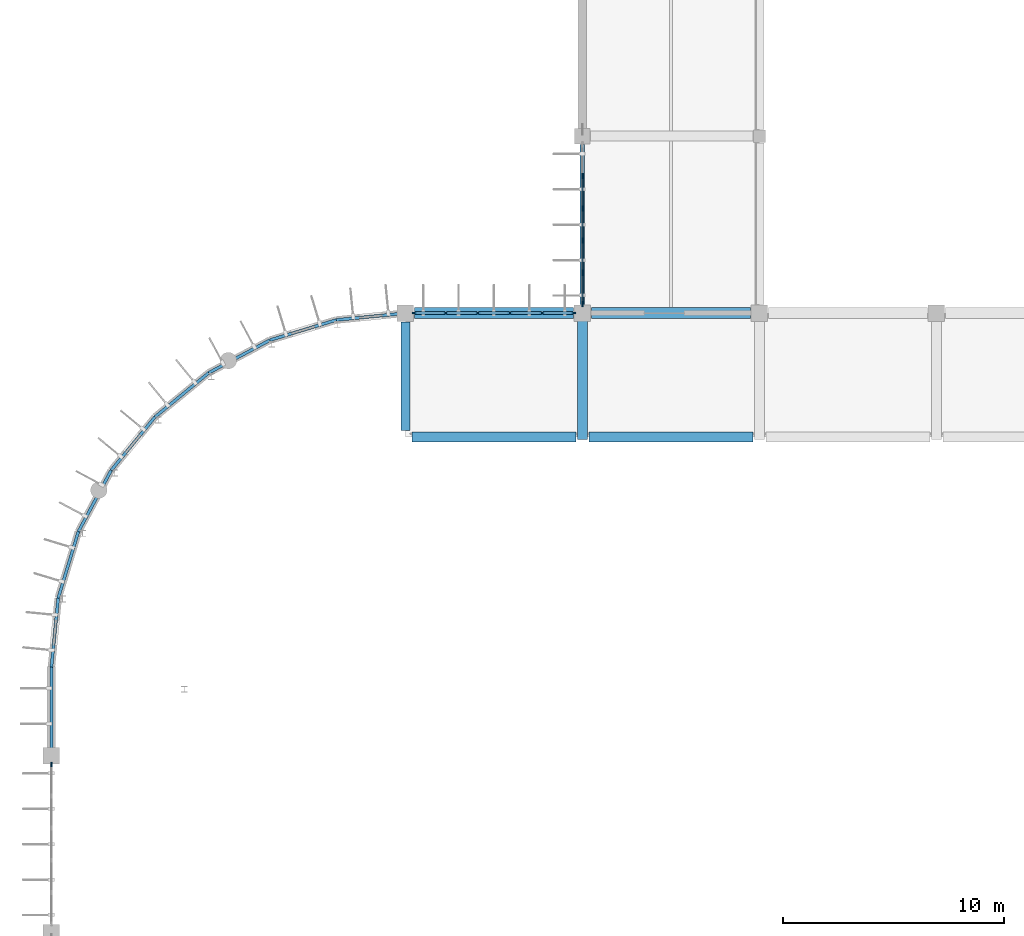
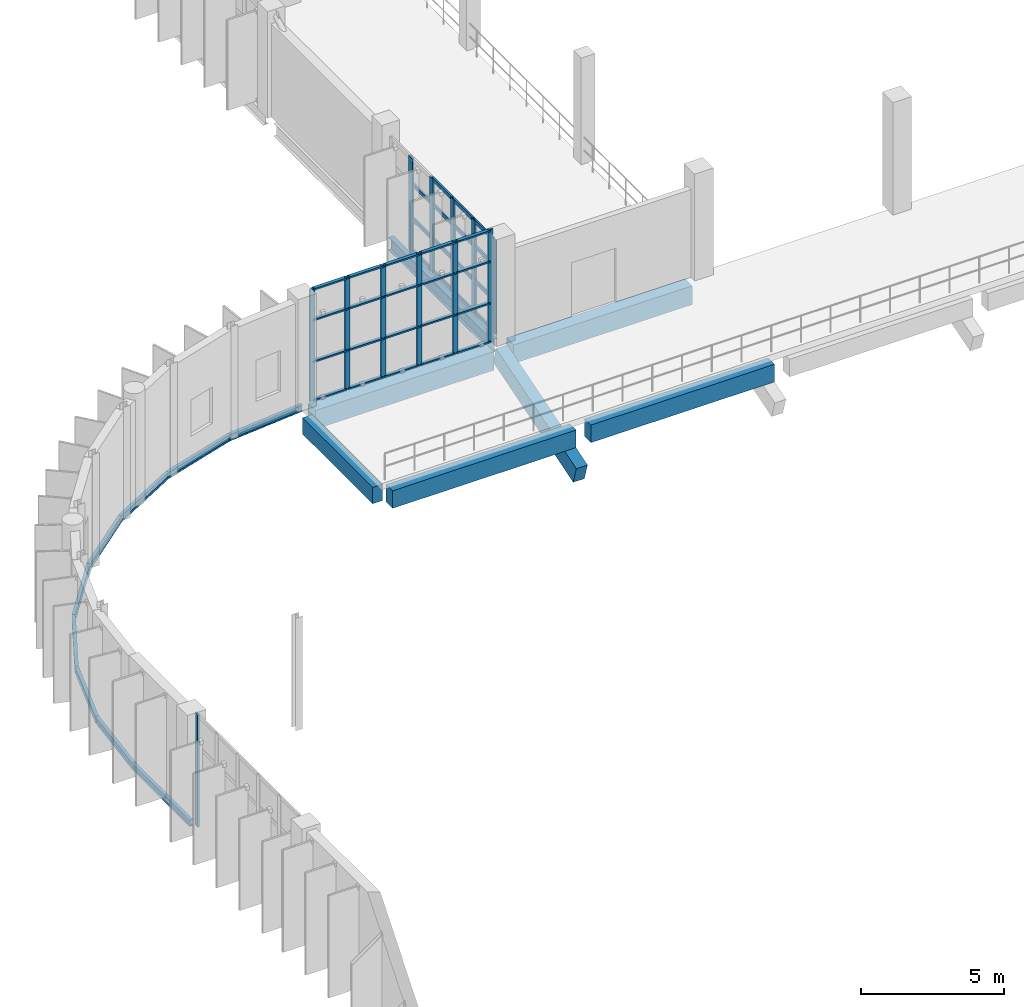
# One storey, part 24 of 93: 47 members, 16 beams, 3 elements without a shape of their own.
"""IFC4 building model written with IfcOpenShell, lengths in metres."""

from ifc_helpers import new_model, si_unit, direction, frame, origin, origin_2d, place, context, subcontext, project, spatial, rectangle, i_section, extrude, material, layer, layer_set, material_profile, profile_set, type_object, element, aggregate, save


model = new_model("IFC4")

# Units and contexts
model_context = context("Model", 3, precision=1e-05, world=origin(), true_north=direction((0.0, 1.0)))
body_context = subcontext(model_context, "Body", "Model", "MODEL_VIEW")
ifc_project = project(units=[si_unit("LENGTHUNIT", "METRE"), si_unit("AREAUNIT", "SQUARE_METRE"), si_unit("VOLUMEUNIT", "CUBIC_METRE"), si_unit("PLANEANGLEUNIT", "RADIAN"), si_unit("MASSUNIT", "GRAM", prefix="KILO")], contexts=[model_context])

# Site, building, storey
site_placement = place(None, origin())
site = spatial("IfcSite", under=ifc_project, at=site_placement, CompositionType="ELEMENT")
building_placement = place(site_placement, origin())
building = spatial("IfcBuilding", under=site, at=building_placement, Name="Drelvana Railside Aquatics Centre", CompositionType="ELEMENT")
storey_placement = place(building_placement, frame((0.0, 0.0, 5.39990234375)))
storey = spatial("IfcBuildingStorey", under=building, at=storey_placement, Name="L01", CompositionType="ELEMENT", Elevation=5.39990234375)

# Curtain wall, members
ifc_material_1 = material(Name="Bronze-anodised aluminium curtain wall", Category="aluminium")
ifc_layer_1 = layer(ifc_material_1, 0.179931640625, Name="Bronze-anodised aluminium curtain wall")
ifc_layer_set_1 = layer_set([ifc_layer_1], Name="Bronze-anodised aluminium curtain wall")
curtain_wall_type_1 = type_object("IfcCurtainWallType", Name="CW-Z2-CLER", PredefinedType="NOTDEFINED", material=ifc_layer_set_1)
curtain_wall_1_placement = place(storey_placement, origin())
curtain_wall_1 = element("IfcCurtainWall", 1, at=curtain_wall_1_placement, inside=storey, type_object=curtain_wall_type_1, Name="Curtain wall CW-02-018", PredefinedType="NOTDEFINED")
ifc_material_2 = material(Name="Bronze-anodised aluminium 6063-T6", Category="aluminium")
ifc_material_profile_1 = material_profile(ifc_material_2, rectangle(XDim=0.070068359375, YDim=0.199951171875, at=origin_2d()), Name="ALU-M 70x200")
ifc_profile_set_1 = profile_set([ifc_material_profile_1], Name="Bronze-anodised aluminium 6063-T6")
member_type_1 = type_object("IfcMemberType", Name="CW-Z2-CLER-MUL", PredefinedType="MULLION", material=ifc_profile_set_1)
member_1_placement = place(storey_placement, frame((16.404052734375, 84.0, -0.005859375), z_axis=(0.0, 0.0, 1.0), x_axis=(0.0, 1.0, 0.0)))
member_1 = element("IfcMember", 2, at=member_1_placement, type_object=member_type_1, Name="CW-02 mullion 1", PredefinedType="MULLION", context=body_context, shape_type="SweptSolid", body=[
    extrude(rectangle(XDim=0.070068359375, YDim=0.199951171875, at=origin_2d()), origin(), (0.0, 0.0, 1.0), 4.7958984375),
])
member_2_placement = place(storey_placement, frame((17.8212890625, 84.0, -0.005859375), z_axis=(0.0, 0.0, 1.0), x_axis=(0.0, 1.0, 0.0)))
member_2 = element("IfcMember", 3, at=member_2_placement, type_object=member_type_1, Name="CW-02 mullion 2", PredefinedType="MULLION", context=body_context, shape_type="SweptSolid", body=[
    extrude(rectangle(XDim=0.070068359375, YDim=0.199951171875, at=origin_2d()), origin(), (0.0, 0.0, 1.0), 4.7958984375),
])
member_3_placement = place(storey_placement, frame((19.273681640625, 84.0, -0.005859375), z_axis=(0.0, 0.0, 1.0), x_axis=(0.0, 1.0, 0.0)))
member_3 = element("IfcMember", 4, at=member_3_placement, type_object=member_type_1, Name="CW-02 mullion 3", PredefinedType="MULLION", context=body_context, shape_type="SweptSolid", body=[
    extrude(rectangle(XDim=0.070068359375, YDim=0.199951171875, at=origin_2d()), origin(), (0.0, 0.0, 1.0), 4.7958984375),
])
member_4_placement = place(storey_placement, frame((20.726318359375, 84.0, -0.005859375), z_axis=(0.0, 0.0, 1.0), x_axis=(0.0, 1.0, 0.0)))
member_4 = element("IfcMember", 5, at=member_4_placement, type_object=member_type_1, Name="CW-02 mullion 4", PredefinedType="MULLION", context=body_context, shape_type="SweptSolid", body=[
    extrude(rectangle(XDim=0.070068359375, YDim=0.199951171875, at=origin_2d()), origin(), (0.0, 0.0, 1.0), 4.7958984375),
])
member_5_placement = place(storey_placement, frame((22.1787109375, 84.0, -0.005859375), z_axis=(0.0, 0.0, 1.0), x_axis=(0.0, 1.0, 0.0)))
member_5 = element("IfcMember", 6, at=member_5_placement, type_object=member_type_1, Name="CW-02 mullion 5", PredefinedType="MULLION", context=body_context, shape_type="SweptSolid", body=[
    extrude(rectangle(XDim=0.070068359375, YDim=0.199951171875, at=origin_2d()), origin(), (0.0, 0.0, 1.0), 4.7958984375),
])
member_6_placement = place(storey_placement, frame((23.595947265625, 84.0, -0.005859375), z_axis=(0.0, 0.0, 1.0), x_axis=(0.0, 1.0, 0.0)))
member_6 = element("IfcMember", 7, at=member_6_placement, type_object=member_type_1, Name="CW-02 mullion 6", PredefinedType="MULLION", context=body_context, shape_type="SweptSolid", body=[
    extrude(rectangle(XDim=0.070068359375, YDim=0.199951171875, at=origin_2d()), origin(), (0.0, 0.0, 1.0), 4.7958984375),
])

# Curtain wall, member
curtain_wall_2_placement = place(storey_placement, origin())
curtain_wall_2 = element("IfcCurtainWall", 8, at=curtain_wall_2_placement, inside=storey, type_object=curtain_wall_type_1, Name="Curtain wall CW-02-051", PredefinedType="NOTDEFINED")
member_7_placement = place(storey_placement, frame((0.0, 63.595947265625, -0.005859375), z_axis=(0.0, 0.0, 1.0), x_axis=(-1.0, 0.0, 0.0)))
member_7 = element("IfcMember", 9, at=member_7_placement, type_object=member_type_1, Name="CW-02 mullion 6", PredefinedType="MULLION", context=body_context, shape_type="SweptSolid", body=[
    extrude(rectangle(XDim=0.070068359375, YDim=0.199951171875, at=origin_2d()), origin(), (0.0, 0.0, 1.0), 4.7958984375),
])
aggregate(curtain_wall_2, [member_7])

# Member
ifc_material_profile_2 = material_profile(ifc_material_2, rectangle(XDim=0.139892578125, YDim=0.06494140625, at=origin_2d()), Name="ALU-T 65x140")
ifc_profile_set_2 = profile_set([ifc_material_profile_2], Name="Bronze-anodised aluminium 6063-T6")
member_type_2 = type_object("IfcMemberType", Name="CW-Z2-CLER-TRN", PredefinedType="USERDEFINED", material=ifc_profile_set_2)
member_8_placement = place(storey_placement, frame((16.43408203125, 84.0, 0.026611328125), z_axis=(1.0, 0.0, 0.0), x_axis=(0.0, 1.0, 0.0)))
member_8 = element("IfcMember", 10, at=member_8_placement, type_object=member_type_2, Name="CW-02 transom 1.1", ObjectType="TRANSOM", PredefinedType="USERDEFINED", context=body_context, shape_type="SweptSolid", body=[
    extrude(rectangle(XDim=0.139892578125, YDim=0.06494140625, at=origin_2d()), origin(), (0.0, 0.0, 1.0), 1.357421875),
])

member_9_placement = place(storey_placement, frame((16.43408203125, 84.0, 1.673095703125), z_axis=(1.0, 0.0, 0.0), x_axis=(0.0, 1.0, 0.0)))
member_9 = element("IfcMember", 11, at=member_9_placement, type_object=member_type_2, Name="CW-02 transom 1.2", ObjectType="TRANSOM", PredefinedType="USERDEFINED", context=body_context, shape_type="SweptSolid", body=[
    extrude(rectangle(XDim=0.139892578125, YDim=0.06494140625, at=origin_2d()), origin(), (0.0, 0.0, 1.0), 1.357421875),
])

member_10_placement = place(storey_placement, frame((16.43408203125, 84.0, 3.447021484375), z_axis=(1.0, 0.0, 0.0), x_axis=(0.0, 1.0, 0.0)))
member_10 = element("IfcMember", 12, at=member_10_placement, type_object=member_type_2, Name="CW-02 transom 1.3", ObjectType="TRANSOM", PredefinedType="USERDEFINED", context=body_context, shape_type="SweptSolid", body=[
    extrude(rectangle(XDim=0.139892578125, YDim=0.06494140625, at=origin_2d()), origin(), (0.0, 0.0, 1.0), 1.357421875),
])

member_11_placement = place(storey_placement, frame((16.43408203125, 84.0, 4.757568359375), z_axis=(1.0, 0.0, 0.0), x_axis=(0.0, 1.0, 0.0)))
member_11 = element("IfcMember", 13, at=member_11_placement, type_object=member_type_2, Name="CW-02 transom 1.4", ObjectType="TRANSOM", PredefinedType="USERDEFINED", context=body_context, shape_type="SweptSolid", body=[
    extrude(rectangle(XDim=0.139892578125, YDim=0.06494140625, at=origin_2d()), origin(), (0.0, 0.0, 1.0), 1.357421875),
])

member_12_placement = place(storey_placement, frame((17.851318359375, 84.0, 0.026611328125), z_axis=(1.0, 0.0, 0.0), x_axis=(0.0, 1.0, 0.0)))
member_12 = element("IfcMember", 14, at=member_12_placement, type_object=member_type_2, Name="CW-02 transom 2.1", ObjectType="TRANSOM", PredefinedType="USERDEFINED", context=body_context, shape_type="SweptSolid", body=[
    extrude(rectangle(XDim=0.139892578125, YDim=0.06494140625, at=origin_2d()), origin(), (0.0, 0.0, 1.0), 1.392578125),
])

member_13_placement = place(storey_placement, frame((17.851318359375, 84.0, 1.673095703125), z_axis=(1.0, 0.0, 0.0), x_axis=(0.0, 1.0, 0.0)))
member_13 = element("IfcMember", 15, at=member_13_placement, type_object=member_type_2, Name="CW-02 transom 2.2", ObjectType="TRANSOM", PredefinedType="USERDEFINED", context=body_context, shape_type="SweptSolid", body=[
    extrude(rectangle(XDim=0.139892578125, YDim=0.06494140625, at=origin_2d()), origin(), (0.0, 0.0, 1.0), 1.392578125),
])

member_14_placement = place(storey_placement, frame((17.851318359375, 84.0, 3.447021484375), z_axis=(1.0, 0.0, 0.0), x_axis=(0.0, 1.0, 0.0)))
member_14 = element("IfcMember", 16, at=member_14_placement, type_object=member_type_2, Name="CW-02 transom 2.3", ObjectType="TRANSOM", PredefinedType="USERDEFINED", context=body_context, shape_type="SweptSolid", body=[
    extrude(rectangle(XDim=0.139892578125, YDim=0.06494140625, at=origin_2d()), origin(), (0.0, 0.0, 1.0), 1.392578125),
])

member_15_placement = place(storey_placement, frame((17.851318359375, 84.0, 4.757568359375), z_axis=(1.0, 0.0, 0.0), x_axis=(0.0, 1.0, 0.0)))
member_15 = element("IfcMember", 17, at=member_15_placement, type_object=member_type_2, Name="CW-02 transom 2.4", ObjectType="TRANSOM", PredefinedType="USERDEFINED", context=body_context, shape_type="SweptSolid", body=[
    extrude(rectangle(XDim=0.139892578125, YDim=0.06494140625, at=origin_2d()), origin(), (0.0, 0.0, 1.0), 1.392578125),
])

member_16_placement = place(storey_placement, frame((19.3037109375, 84.0, 0.026611328125), z_axis=(1.0, 0.0, 0.0), x_axis=(0.0, 1.0, 0.0)))
member_16 = element("IfcMember", 18, at=member_16_placement, type_object=member_type_2, Name="CW-02 transom 3.1", ObjectType="TRANSOM", PredefinedType="USERDEFINED", context=body_context, shape_type="SweptSolid", body=[
    extrude(rectangle(XDim=0.139892578125, YDim=0.06494140625, at=origin_2d()), origin(), (0.0, 0.0, 1.0), 1.392578125),
])

member_17_placement = place(storey_placement, frame((19.3037109375, 84.0, 1.673095703125), z_axis=(1.0, 0.0, 0.0), x_axis=(0.0, 1.0, 0.0)))
member_17 = element("IfcMember", 19, at=member_17_placement, type_object=member_type_2, Name="CW-02 transom 3.2", ObjectType="TRANSOM", PredefinedType="USERDEFINED", context=body_context, shape_type="SweptSolid", body=[
    extrude(rectangle(XDim=0.139892578125, YDim=0.06494140625, at=origin_2d()), origin(), (0.0, 0.0, 1.0), 1.392578125),
])

member_18_placement = place(storey_placement, frame((19.3037109375, 84.0, 3.447021484375), z_axis=(1.0, 0.0, 0.0), x_axis=(0.0, 1.0, 0.0)))
member_18 = element("IfcMember", 20, at=member_18_placement, type_object=member_type_2, Name="CW-02 transom 3.3", ObjectType="TRANSOM", PredefinedType="USERDEFINED", context=body_context, shape_type="SweptSolid", body=[
    extrude(rectangle(XDim=0.139892578125, YDim=0.06494140625, at=origin_2d()), origin(), (0.0, 0.0, 1.0), 1.392578125),
])

member_19_placement = place(storey_placement, frame((19.3037109375, 84.0, 4.757568359375), z_axis=(1.0, 0.0, 0.0), x_axis=(0.0, 1.0, 0.0)))
member_19 = element("IfcMember", 21, at=member_19_placement, type_object=member_type_2, Name="CW-02 transom 3.4", ObjectType="TRANSOM", PredefinedType="USERDEFINED", context=body_context, shape_type="SweptSolid", body=[
    extrude(rectangle(XDim=0.139892578125, YDim=0.06494140625, at=origin_2d()), origin(), (0.0, 0.0, 1.0), 1.392578125),
])

member_20_placement = place(storey_placement, frame((20.756103515625, 84.0, 0.026611328125), z_axis=(1.0, 0.0, 0.0), x_axis=(0.0, 1.0, 0.0)))
member_20 = element("IfcMember", 22, at=member_20_placement, type_object=member_type_2, Name="CW-02 transom 4.1", ObjectType="TRANSOM", PredefinedType="USERDEFINED", context=body_context, shape_type="SweptSolid", body=[
    extrude(rectangle(XDim=0.139892578125, YDim=0.06494140625, at=origin_2d()), origin(), (0.0, 0.0, 1.0), 1.392578125),
])

member_21_placement = place(storey_placement, frame((20.756103515625, 84.0, 1.673095703125), z_axis=(1.0, 0.0, 0.0), x_axis=(0.0, 1.0, 0.0)))
member_21 = element("IfcMember", 23, at=member_21_placement, type_object=member_type_2, Name="CW-02 transom 4.2", ObjectType="TRANSOM", PredefinedType="USERDEFINED", context=body_context, shape_type="SweptSolid", body=[
    extrude(rectangle(XDim=0.139892578125, YDim=0.06494140625, at=origin_2d()), origin(), (0.0, 0.0, 1.0), 1.392578125),
])

member_22_placement = place(storey_placement, frame((20.756103515625, 84.0, 3.447021484375), z_axis=(1.0, 0.0, 0.0), x_axis=(0.0, 1.0, 0.0)))
member_22 = element("IfcMember", 24, at=member_22_placement, type_object=member_type_2, Name="CW-02 transom 4.3", ObjectType="TRANSOM", PredefinedType="USERDEFINED", context=body_context, shape_type="SweptSolid", body=[
    extrude(rectangle(XDim=0.139892578125, YDim=0.06494140625, at=origin_2d()), origin(), (0.0, 0.0, 1.0), 1.392578125),
])

member_23_placement = place(storey_placement, frame((20.756103515625, 84.0, 4.757568359375), z_axis=(1.0, 0.0, 0.0), x_axis=(0.0, 1.0, 0.0)))
member_23 = element("IfcMember", 25, at=member_23_placement, type_object=member_type_2, Name="CW-02 transom 4.4", ObjectType="TRANSOM", PredefinedType="USERDEFINED", context=body_context, shape_type="SweptSolid", body=[
    extrude(rectangle(XDim=0.139892578125, YDim=0.06494140625, at=origin_2d()), origin(), (0.0, 0.0, 1.0), 1.392578125),
])

member_24_placement = place(storey_placement, frame((22.20849609375, 84.0, 0.026611328125), z_axis=(1.0, 0.0, 0.0), x_axis=(0.0, 1.0, 0.0)))
member_24 = element("IfcMember", 26, at=member_24_placement, type_object=member_type_2, Name="CW-02 transom 5.1", ObjectType="TRANSOM", PredefinedType="USERDEFINED", context=body_context, shape_type="SweptSolid", body=[
    extrude(rectangle(XDim=0.139892578125, YDim=0.06494140625, at=origin_2d()), origin(), (0.0, 0.0, 1.0), 1.357421875),
])

member_25_placement = place(storey_placement, frame((22.20849609375, 84.0, 1.673095703125), z_axis=(1.0, 0.0, 0.0), x_axis=(0.0, 1.0, 0.0)))
member_25 = element("IfcMember", 27, at=member_25_placement, type_object=member_type_2, Name="CW-02 transom 5.2", ObjectType="TRANSOM", PredefinedType="USERDEFINED", context=body_context, shape_type="SweptSolid", body=[
    extrude(rectangle(XDim=0.139892578125, YDim=0.06494140625, at=origin_2d()), origin(), (0.0, 0.0, 1.0), 1.357421875),
])

member_26_placement = place(storey_placement, frame((22.20849609375, 84.0, 3.447021484375), z_axis=(1.0, 0.0, 0.0), x_axis=(0.0, 1.0, 0.0)))
member_26 = element("IfcMember", 28, at=member_26_placement, type_object=member_type_2, Name="CW-02 transom 5.3", ObjectType="TRANSOM", PredefinedType="USERDEFINED", context=body_context, shape_type="SweptSolid", body=[
    extrude(rectangle(XDim=0.139892578125, YDim=0.06494140625, at=origin_2d()), origin(), (0.0, 0.0, 1.0), 1.357421875),
])

member_27_placement = place(storey_placement, frame((22.20849609375, 84.0, 4.757568359375), z_axis=(1.0, 0.0, 0.0), x_axis=(0.0, 1.0, 0.0)))
member_27 = element("IfcMember", 29, at=member_27_placement, type_object=member_type_2, Name="CW-02 transom 5.4", ObjectType="TRANSOM", PredefinedType="USERDEFINED", context=body_context, shape_type="SweptSolid", body=[
    extrude(rectangle(XDim=0.139892578125, YDim=0.06494140625, at=origin_2d()), origin(), (0.0, 0.0, 1.0), 1.357421875),
])

aggregate(curtain_wall_1, [member_1, member_2, member_3, member_4, member_5, member_6, member_8, member_9, member_10, member_11, member_12, member_13, member_14, member_15, member_16, member_17, member_18, member_19, member_20, member_21, member_22, member_23, member_24, member_25, member_26, member_27])

# Curtain wall, members
ifc_layer_2 = layer(ifc_material_1, 0.2099609375, Name="Bronze-anodised aluminium curtain wall")
ifc_layer_set_2 = layer_set([ifc_layer_2], Name="Bronze-anodised aluminium curtain wall")
curtain_wall_type_2 = type_object("IfcCurtainWallType", Name="CW-Z7-DIVE", PredefinedType="NOTDEFINED", material=ifc_layer_set_2)
curtain_wall_3_placement = place(storey_placement, origin())
curtain_wall_3 = element("IfcCurtainWall", 30, at=curtain_wall_3_placement, inside=storey, type_object=curtain_wall_type_2, Name="Curtain wall CW-07-082", PredefinedType="NOTDEFINED")
ifc_material_profile_3 = material_profile(ifc_material_2, rectangle(XDim=0.080078125, YDim=0.25, at=origin_2d()), Name="ALU-M 80x250")
ifc_profile_set_3 = profile_set([ifc_material_profile_3], Name="Bronze-anodised aluminium 6063-T6")
member_type_3 = type_object("IfcMemberType", Name="CW-Z7-DIVE-MUL", PredefinedType="MULLION", material=ifc_profile_set_3)
member_28_placement = place(storey_placement, frame((24.0, 84.408935546875, -0.005859375), z_axis=(0.0, 0.0, 1.0), x_axis=(-1.0, 0.0, 0.0)))
member_28 = element("IfcMember", 31, at=member_28_placement, type_object=member_type_3, Name="CW-07 mullion 1", PredefinedType="MULLION", context=body_context, shape_type="SweptSolid", body=[
    extrude(rectangle(XDim=0.080078125, YDim=0.25, at=origin_2d()), origin(), (0.0, 0.0, 1.0), 3.98583984375),
])
member_29_placement = place(storey_placement, frame((24.0, 85.826416015625, -0.005859375), z_axis=(0.0, 0.0, 1.0), x_axis=(-1.0, 0.0, 0.0)))
member_29 = element("IfcMember", 32, at=member_29_placement, type_object=member_type_3, Name="CW-07 mullion 2", PredefinedType="MULLION", context=body_context, shape_type="SweptSolid", body=[
    extrude(rectangle(XDim=0.080078125, YDim=0.25, at=origin_2d()), origin(), (0.0, 0.0, 1.0), 3.98583984375),
])
member_30_placement = place(storey_placement, frame((24.0, 87.28369140625, -0.005859375), z_axis=(0.0, 0.0, 1.0), x_axis=(-1.0, 0.0, 0.0)))
member_30 = element("IfcMember", 33, at=member_30_placement, type_object=member_type_3, Name="CW-07 mullion 3", PredefinedType="MULLION", context=body_context, shape_type="SweptSolid", body=[
    extrude(rectangle(XDim=0.080078125, YDim=0.25, at=origin_2d()), origin(), (0.0, 0.0, 1.0), 3.98583984375),
])
member_31_placement = place(storey_placement, frame((24.0, 88.7412109375, -0.005859375), z_axis=(0.0, 0.0, 1.0), x_axis=(-1.0, 0.0, 0.0)))
member_31 = element("IfcMember", 34, at=member_31_placement, type_object=member_type_3, Name="CW-07 mullion 4", PredefinedType="MULLION", context=body_context, shape_type="SweptSolid", body=[
    extrude(rectangle(XDim=0.080078125, YDim=0.25, at=origin_2d()), origin(), (0.0, 0.0, 1.0), 3.98583984375),
])
member_32_placement = place(storey_placement, frame((24.0, 90.198486328125, -0.005859375), z_axis=(0.0, 0.0, 1.0), x_axis=(-1.0, 0.0, 0.0)))
member_32 = element("IfcMember", 35, at=member_32_placement, type_object=member_type_3, Name="CW-07 mullion 5", PredefinedType="MULLION", context=body_context, shape_type="SweptSolid", body=[
    extrude(rectangle(XDim=0.080078125, YDim=0.25, at=origin_2d()), origin(), (0.0, 0.0, 1.0), 3.98583984375),
])
ifc_material_profile_4 = material_profile(ifc_material_2, rectangle(XDim=0.159912109375, YDim=0.070068359375, at=origin_2d()), Name="ALU-T 70x160")
ifc_profile_set_4 = profile_set([ifc_material_profile_4], Name="Bronze-anodised aluminium 6063-T6")
member_type_4 = type_object("IfcMemberType", Name="CW-Z7-DIVE-TRN", PredefinedType="USERDEFINED", material=ifc_profile_set_4)
member_33_placement = place(storey_placement, frame((24.0, 84.444091796875, 0.029052734375), z_axis=(0.0, 1.0, 0.0), x_axis=(0.0, 0.0, 1.0)))
member_33 = element("IfcMember", 36, at=member_33_placement, type_object=member_type_4, Name="CW-07 transom 1.1", ObjectType="TRANSOM", PredefinedType="USERDEFINED", context=body_context, shape_type="SweptSolid", body=[
    extrude(rectangle(XDim=0.159912109375, YDim=0.070068359375, at=origin_2d()), origin(), (0.0, 0.0, 1.0), 1.347412109375),
])
member_34_placement = place(storey_placement, frame((24.0, 84.444091796875, 1.38916015625), z_axis=(0.0, 1.0, 0.0), x_axis=(0.0, 0.0, 1.0)))
member_34 = element("IfcMember", 37, at=member_34_placement, type_object=member_type_4, Name="CW-07 transom 1.2", ObjectType="TRANSOM", PredefinedType="USERDEFINED", context=body_context, shape_type="SweptSolid", body=[
    extrude(rectangle(XDim=0.159912109375, YDim=0.070068359375, at=origin_2d()), origin(), (0.0, 0.0, 1.0), 1.347412109375),
])
member_35_placement = place(storey_placement, frame((24.0, 84.444091796875, 2.864013671875), z_axis=(0.0, 1.0, 0.0), x_axis=(0.0, 0.0, 1.0)))
member_35 = element("IfcMember", 38, at=member_35_placement, type_object=member_type_4, Name="CW-07 transom 1.3", ObjectType="TRANSOM", PredefinedType="USERDEFINED", context=body_context, shape_type="SweptSolid", body=[
    extrude(rectangle(XDim=0.159912109375, YDim=0.070068359375, at=origin_2d()), origin(), (0.0, 0.0, 1.0), 1.347412109375),
])
member_36_placement = place(storey_placement, frame((24.0, 84.444091796875, 3.945068359375), z_axis=(0.0, 1.0, 0.0), x_axis=(0.0, 0.0, 1.0)))
member_36 = element("IfcMember", 39, at=member_36_placement, type_object=member_type_4, Name="CW-07 transom 1.4", ObjectType="TRANSOM", PredefinedType="USERDEFINED", context=body_context, shape_type="SweptSolid", body=[
    extrude(rectangle(XDim=0.159912109375, YDim=0.070068359375, at=origin_2d()), origin(), (0.0, 0.0, 1.0), 1.347412109375),
])
member_37_placement = place(storey_placement, frame((24.0, 85.861328125, 0.029052734375), z_axis=(0.0, 1.0, 0.0), x_axis=(0.0, 0.0, 1.0)))
member_37 = element("IfcMember", 40, at=member_37_placement, type_object=member_type_4, Name="CW-07 transom 2.1", ObjectType="TRANSOM", PredefinedType="USERDEFINED", context=body_context, shape_type="SweptSolid", body=[
    extrude(rectangle(XDim=0.159912109375, YDim=0.070068359375, at=origin_2d()), origin(), (0.0, 0.0, 1.0), 1.387451171875),
])
member_38_placement = place(storey_placement, frame((24.0, 85.861328125, 1.38916015625), z_axis=(0.0, 1.0, 0.0), x_axis=(0.0, 0.0, 1.0)))
member_38 = element("IfcMember", 41, at=member_38_placement, type_object=member_type_4, Name="CW-07 transom 2.2", ObjectType="TRANSOM", PredefinedType="USERDEFINED", context=body_context, shape_type="SweptSolid", body=[
    extrude(rectangle(XDim=0.159912109375, YDim=0.070068359375, at=origin_2d()), origin(), (0.0, 0.0, 1.0), 1.387451171875),
])
member_39_placement = place(storey_placement, frame((24.0, 85.861328125, 2.864013671875), z_axis=(0.0, 1.0, 0.0), x_axis=(0.0, 0.0, 1.0)))
member_39 = element("IfcMember", 42, at=member_39_placement, type_object=member_type_4, Name="CW-07 transom 2.3", ObjectType="TRANSOM", PredefinedType="USERDEFINED", context=body_context, shape_type="SweptSolid", body=[
    extrude(rectangle(XDim=0.159912109375, YDim=0.070068359375, at=origin_2d()), origin(), (0.0, 0.0, 1.0), 1.387451171875),
])
member_40_placement = place(storey_placement, frame((24.0, 85.861328125, 3.945068359375), z_axis=(0.0, 1.0, 0.0), x_axis=(0.0, 0.0, 1.0)))
member_40 = element("IfcMember", 43, at=member_40_placement, type_object=member_type_4, Name="CW-07 transom 2.4", ObjectType="TRANSOM", PredefinedType="USERDEFINED", context=body_context, shape_type="SweptSolid", body=[
    extrude(rectangle(XDim=0.159912109375, YDim=0.070068359375, at=origin_2d()), origin(), (0.0, 0.0, 1.0), 1.387451171875),
])
member_41_placement = place(storey_placement, frame((24.0, 87.31884765625, 0.029052734375), z_axis=(0.0, 1.0, 0.0), x_axis=(0.0, 0.0, 1.0)))
member_41 = element("IfcMember", 44, at=member_41_placement, type_object=member_type_4, Name="CW-07 transom 3.1", ObjectType="TRANSOM", PredefinedType="USERDEFINED", context=body_context, shape_type="SweptSolid", body=[
    extrude(rectangle(XDim=0.159912109375, YDim=0.070068359375, at=origin_2d()), origin(), (0.0, 0.0, 1.0), 1.387451171875),
])
member_42_placement = place(storey_placement, frame((24.0, 87.31884765625, 1.38916015625), z_axis=(0.0, 1.0, 0.0), x_axis=(0.0, 0.0, 1.0)))
member_42 = element("IfcMember", 45, at=member_42_placement, type_object=member_type_4, Name="CW-07 transom 3.2", ObjectType="TRANSOM", PredefinedType="USERDEFINED", context=body_context, shape_type="SweptSolid", body=[
    extrude(rectangle(XDim=0.159912109375, YDim=0.070068359375, at=origin_2d()), origin(), (0.0, 0.0, 1.0), 1.387451171875),
])
member_43_placement = place(storey_placement, frame((24.0, 87.31884765625, 2.864013671875), z_axis=(0.0, 1.0, 0.0), x_axis=(0.0, 0.0, 1.0)))
member_43 = element("IfcMember", 46, at=member_43_placement, type_object=member_type_4, Name="CW-07 transom 3.3", ObjectType="TRANSOM", PredefinedType="USERDEFINED", context=body_context, shape_type="SweptSolid", body=[
    extrude(rectangle(XDim=0.159912109375, YDim=0.070068359375, at=origin_2d()), origin(), (0.0, 0.0, 1.0), 1.387451171875),
])
member_44_placement = place(storey_placement, frame((24.0, 87.31884765625, 3.945068359375), z_axis=(0.0, 1.0, 0.0), x_axis=(0.0, 0.0, 1.0)))
member_44 = element("IfcMember", 47, at=member_44_placement, type_object=member_type_4, Name="CW-07 transom 3.4", ObjectType="TRANSOM", PredefinedType="USERDEFINED", context=body_context, shape_type="SweptSolid", body=[
    extrude(rectangle(XDim=0.159912109375, YDim=0.070068359375, at=origin_2d()), origin(), (0.0, 0.0, 1.0), 1.387451171875),
])
member_45_placement = place(storey_placement, frame((24.0, 88.776123046875, 0.029052734375), z_axis=(0.0, 1.0, 0.0), x_axis=(0.0, 0.0, 1.0)))
member_45 = element("IfcMember", 48, at=member_45_placement, type_object=member_type_4, Name="CW-07 transom 4.1", ObjectType="TRANSOM", PredefinedType="USERDEFINED", context=body_context, shape_type="SweptSolid", body=[
    extrude(rectangle(XDim=0.159912109375, YDim=0.070068359375, at=origin_2d()), origin(), (0.0, 0.0, 1.0), 1.387451171875),
])
member_46_placement = place(storey_placement, frame((24.0, 88.776123046875, 1.38916015625), z_axis=(0.0, 1.0, 0.0), x_axis=(0.0, 0.0, 1.0)))
member_46 = element("IfcMember", 49, at=member_46_placement, type_object=member_type_4, Name="CW-07 transom 4.2", ObjectType="TRANSOM", PredefinedType="USERDEFINED", context=body_context, shape_type="SweptSolid", body=[
    extrude(rectangle(XDim=0.159912109375, YDim=0.070068359375, at=origin_2d()), origin(), (0.0, 0.0, 1.0), 1.387451171875),
])
member_47_placement = place(storey_placement, frame((24.0, 88.776123046875, 2.864013671875), z_axis=(0.0, 1.0, 0.0), x_axis=(0.0, 0.0, 1.0)))
member_47 = element("IfcMember", 50, at=member_47_placement, type_object=member_type_4, Name="CW-07 transom 4.3", ObjectType="TRANSOM", PredefinedType="USERDEFINED", context=body_context, shape_type="SweptSolid", body=[
    extrude(rectangle(XDim=0.159912109375, YDim=0.070068359375, at=origin_2d()), origin(), (0.0, 0.0, 1.0), 1.387451171875),
])
aggregate(curtain_wall_3, [member_28, member_29, member_30, member_31, member_32, member_33, member_34, member_35, member_36, member_37, member_38, member_39, member_40, member_41, member_42, member_43, member_44, member_45, member_46, member_47])

# Beams
ifc_material_3 = material(Name="Concrete C40/50", Category="concrete")
ifc_material_profile_5 = material_profile(ifc_material_3, rectangle(XDim=0.39990234375, YDim=0.699951171875, at=origin_2d()), Name="RC 400x700")
ifc_profile_set_5 = profile_set([ifc_material_profile_5], Name="Concrete C40/50")
beam_type_1 = type_object("IfcBeamType", Name="STR-BM-BM-03-RC-400x700", PredefinedType="BEAM", material=ifc_profile_set_5)
beam_1_placement = place(storey_placement, frame((16.0, 78.699951171875, -0.625), z_axis=(0.0, 1.0, 0.0), x_axis=(-1.0, 0.0, 0.0)))
element("IfcBeam", 51, at=beam_1_placement, inside=storey, type_object=beam_type_1, Name="Girder BM-03 (L01)", PredefinedType="BEAM", context=body_context, shape_type="SweptSolid", body=[
    extrude(rectangle(XDim=0.39990234375, YDim=0.699951171875, at=origin_2d()), origin(), (0.0, 0.0, 1.0), 4.900146484375),
])
ifc_material_profile_6 = material_profile(ifc_material_3, rectangle(XDim=0.449951171875, YDim=0.75, at=origin_2d()), Name="RC 450x750")
ifc_profile_set_6 = profile_set([ifc_material_profile_6], Name="Concrete C40/50")
beam_type_2 = type_object("IfcBeamType", Name="STR-BM-BM-04-RC-450x750", PredefinedType="BEAM", material=ifc_profile_set_6)
for number, where, z_axis, x_axis, name in (
    (52, (16.300048828125, 78.39990234375, -0.64990234375), (1.0, 0.0, 0.0), (0.0, 1.0, 0.0), "Girder BM-04 (L01)"),
    (53, (24.300048828125, 78.39990234375, -0.64990234375), (1.0, 0.0, 0.0), (0.0, 1.0, 0.0), "Girder BM-04 (L01)"),
):
    element("IfcBeam", number, at=place(storey_placement, frame(where, z_axis=z_axis, x_axis=x_axis)), inside=storey, type_object=beam_type_2, Name=name, PredefinedType="BEAM", context=body_context, shape_type="SweptSolid", body=[
        extrude(rectangle(XDim=0.449951171875, YDim=0.75, at=origin_2d()), origin(), (0.0, 0.0, 1.0), 7.39990234375),
    ])
ifc_material_profile_7 = material_profile(ifc_material_3, rectangle(XDim=0.5, YDim=0.800048828125, at=origin_2d()), Name="RC 500x800")
ifc_profile_set_7 = profile_set([ifc_material_profile_7], Name="Concrete C40/50")
beam_type_3 = type_object("IfcBeamType", Name="STR-BM-BM-06-RC-500x800", PredefinedType="SPANDREL", material=ifc_profile_set_7)
for number, where, z_axis, x_axis, name in (
    (54, (16.39990234375, 84.0, -0.6748046875), (1.0, 0.0, 0.0), (0.0, 1.0, 0.0), "Girder BM-06 (L01)"),
    (55, (24.39990234375, 84.0, -0.6748046875), (1.0, 0.0, 0.0), (0.0, 1.0, 0.0), "Girder BM-06 (L01)"),
):
    element("IfcBeam", number, at=place(storey_placement, frame(where, z_axis=z_axis, x_axis=x_axis)), inside=storey, type_object=beam_type_3, Name=name, PredefinedType="SPANDREL", context=body_context, shape_type="SweptSolid", body=[
        extrude(rectangle(XDim=0.5, YDim=0.800048828125, at=origin_2d()), origin(), (0.0, 0.0, 1.0), 7.2001953125),
    ])
ifc_material_profile_8 = material_profile(ifc_material_3, rectangle(XDim=0.449951171875, YDim=0.75, at=origin_2d()), Name="RC 450x750")
ifc_profile_set_8 = profile_set([ifc_material_profile_8], Name="Concrete C40/50")
beam_type_4 = type_object("IfcBeamType", Name="STR-BM-RK-02-RC-450x750", PredefinedType="USERDEFINED", material=ifc_profile_set_8)
beam_2_placement = place(storey_placement, frame((24.0, 78.39990234375, -2.3798828125), z_axis=(0.0, 0.955448782537, 0.295156947993), x_axis=(-1.0, 0.0, 0.0)))
element("IfcBeam", 56, at=beam_2_placement, inside=storey, type_object=beam_type_4, Name="Lower stand raker beam RK-02 N-X24", ObjectType="RAKER", PredefinedType="USERDEFINED", context=body_context, shape_type="SweptSolid", body=[
    extrude(rectangle(XDim=0.449951171875, YDim=0.75, at=origin_2d()), origin(), (0.0, 0.0, 1.0), 5.861328125),
])
ifc_material_4 = material(Name="Structural steel S355", Category="steel")
ifc_material_profile_9 = material_profile(ifc_material_4, i_section(OverallWidth=0.2099609375, OverallDepth=0.550048828125, WebThickness=0.010986328125, FlangeThickness=0.01708984375, at=origin_2d()), Name="IPE 550")
ifc_profile_set_9 = profile_set([ifc_material_profile_9], Name="Structural steel S355")
beam_type_5 = type_object("IfcBeamType", Name="STR-SBM-SB-04-IPE-550", PredefinedType="SPANDREL", material=ifc_profile_set_9)
beam_3_placement = place(storey_placement, frame((24.0, 84.39990234375, -0.5498046875), z_axis=(0.0, 1.0, 0.0), x_axis=(-1.0, 0.0, 0.0)))
element("IfcBeam", 57, at=beam_3_placement, inside=storey, type_object=beam_type_5, Name="Girder SB-04 (L01)", PredefinedType="SPANDREL", context=body_context, shape_type="SweptSolid", body=[
    extrude(i_section(OverallWidth=0.2099609375, OverallDepth=0.550048828125, WebThickness=0.010986328125, FlangeThickness=0.01708984375, at=origin_2d()), origin(), (0.0, 0.0, 1.0), 7.22509765625),
])
ifc_material_profile_10 = material_profile(ifc_material_4, i_section(OverallWidth=0.135009765625, OverallDepth=0.27001953125, WebThickness=0.006591796875, FlangeThickness=0.01025390625, at=origin_2d()), Name="IPE 270")
ifc_profile_set_10 = profile_set([ifc_material_profile_10], Name="Structural steel S355")
beam_type_6 = type_object("IfcBeamType", Name="STR-SBM-SJ-02-IPE-270", PredefinedType="JOIST", material=ifc_profile_set_10)
beam_4_placement = place(storey_placement, frame((0.0, 64.0, -0.135009765625), z_axis=(0.0, 1.0, 0.0), x_axis=(-1.0, 0.0, 0.0)))
element("IfcBeam", 58, at=beam_4_placement, inside=storey, type_object=beam_type_6, Name="V1 West L01 masonry girt 64", PredefinedType="JOIST", context=body_context, shape_type="SweptSolid", body=[
    extrude(i_section(OverallWidth=0.135009765625, OverallDepth=0.27001953125, WebThickness=0.006591796875, FlangeThickness=0.01025390625, at=origin_2d()), origin(), (0.0, 0.0, 1.0), 4.0),
])
for number, where, z_axis, x_axis, name in (
    (59, (16.0, 84.0, -0.135009765625), (-0.995186340733, -0.098000751113, 0.0), (0.098000751113, -0.995186340733, 0.0), "V1NW L01 curved spandrel beam 1"),
    (60, (12.878662109375, 83.692626953125, -0.135009765625), (-0.956926153386, -0.290331426072, 0.0), (0.290331426072, -0.956926153386, 0.0), "V1NW L01 curved spandrel beam 2"),
):
    element("IfcBeam", number, at=place(storey_placement, frame(where, z_axis=z_axis, x_axis=x_axis)), inside=storey, type_object=beam_type_6, Name=name, PredefinedType="JOIST", context=body_context, shape_type="SweptSolid", body=[
        extrude(i_section(OverallWidth=0.135009765625, OverallDepth=0.27001953125, WebThickness=0.006591796875, FlangeThickness=0.01025390625, at=origin_2d()), origin(), (0.0, 0.0, 1.0), 3.136474609375),
    ])
beam_5_placement = place(storey_placement, frame((9.877197265625, 82.781982421875, -0.135009765625), z_axis=(-0.881938921093, -0.471363701892, 0.0), x_axis=(0.471363701892, -0.881938921093, 0.0)))
element("IfcBeam", 61, at=beam_5_placement, inside=storey, type_object=beam_type_6, Name="V1NW L01 curved spandrel beam 3", PredefinedType="JOIST", context=body_context, shape_type="SweptSolid", body=[
    extrude(i_section(OverallWidth=0.135009765625, OverallDepth=0.27001953125, WebThickness=0.006591796875, FlangeThickness=0.01025390625, at=origin_2d()), origin(), (0.0, 0.0, 1.0), 3.13671875),
])
for number, where, z_axis, x_axis, name in (
    (62, (7.11083984375, 81.303466796875, -0.135009765625), (-0.773016601683, -0.634385792339, 0.0), (0.634385792339, -0.773016601683, 0.0), "V1NW L01 curved spandrel beam 4"),
    (63, (4.686279296875, 79.313720703125, -0.135009765625), (-0.634385792339, -0.773016601683, 0.0), (0.773016601683, -0.634385792339, 0.0), "V1NW L01 curved spandrel beam 5"),
):
    element("IfcBeam", number, at=place(storey_placement, frame(where, z_axis=z_axis, x_axis=x_axis)), inside=storey, type_object=beam_type_6, Name=name, PredefinedType="JOIST", context=body_context, shape_type="SweptSolid", body=[
        extrude(i_section(OverallWidth=0.135009765625, OverallDepth=0.27001953125, WebThickness=0.006591796875, FlangeThickness=0.01025390625, at=origin_2d()), origin(), (0.0, 0.0, 1.0), 3.136474609375),
    ])
beam_6_placement = place(storey_placement, frame((2.696533203125, 76.88916015625, -0.135009765625), z_axis=(-0.471363701892, -0.881938921093, 0.0), x_axis=(0.881938921093, -0.471363701892, 0.0)))
element("IfcBeam", 64, at=beam_6_placement, inside=storey, type_object=beam_type_6, Name="V1NW L01 curved spandrel beam 6", PredefinedType="JOIST", context=body_context, shape_type="SweptSolid", body=[
    extrude(i_section(OverallWidth=0.135009765625, OverallDepth=0.27001953125, WebThickness=0.006591796875, FlangeThickness=0.01025390625, at=origin_2d()), origin(), (0.0, 0.0, 1.0), 3.13671875),
])
for number, where, z_axis, x_axis, name in (
    (65, (1.218017578125, 74.122802734375, -0.135009765625), (-0.290331426072, -0.956926153386, 0.0), (0.956926153386, -0.290331426072, 0.0), "V1NW L01 curved spandrel beam 7"),
    (66, (0.307373046875, 71.121337890625, -0.135009765625), (-0.098000751113, -0.995186340733, 0.0), (0.995186340733, -0.098000751113, 0.0), "V1NW L01 curved spandrel beam 8"),
):
    element("IfcBeam", number, at=place(storey_placement, frame(where, z_axis=z_axis, x_axis=x_axis)), inside=storey, type_object=beam_type_6, Name=name, PredefinedType="JOIST", context=body_context, shape_type="SweptSolid", body=[
        extrude(i_section(OverallWidth=0.135009765625, OverallDepth=0.27001953125, WebThickness=0.006591796875, FlangeThickness=0.01025390625, at=origin_2d()), origin(), (0.0, 0.0, 1.0), 3.136474609375),
    ])

save(model, "model.ifc")
